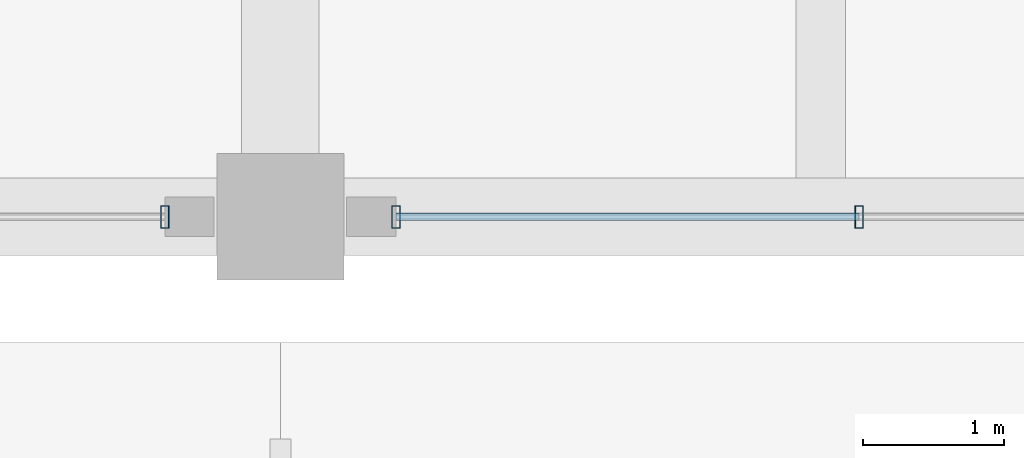
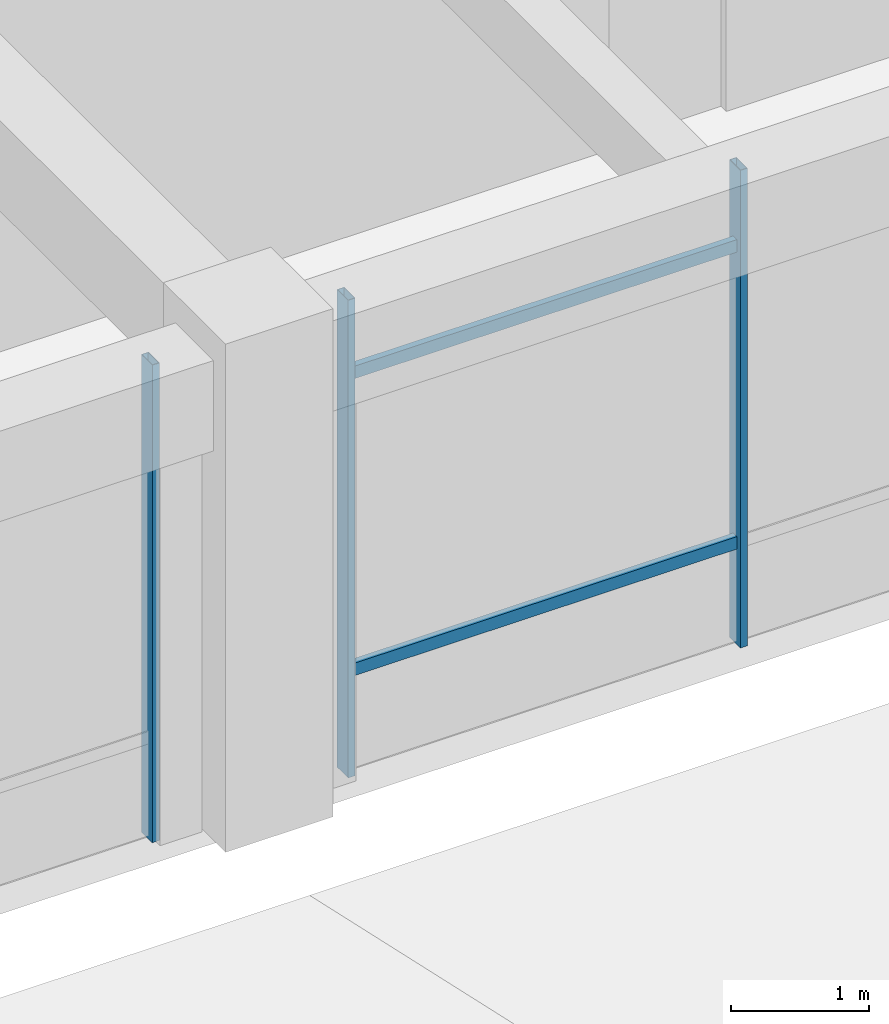
# One storey, part 70 of 154: 5 members, 2 elements without a shape of their own.
"""IFC4 building model written with IfcOpenShell, lengths in metres."""

from ifc_helpers import new_model, si_unit, direction, frame, origin, origin_2d, place, context, subcontext, project, spatial, hollow_rectangle, extrude, material, material_profile, profile_set, type_object, element, aggregate, save


model = new_model("IFC4")

# Units and contexts
model_context = context("Model", 3, precision=1e-05, world=origin(), true_north=direction((0.0, 1.0)))
body_context = subcontext(model_context, "Body", "Model", "MODEL_VIEW")
ifc_project = project(units=[si_unit("LENGTHUNIT", "METRE"), si_unit("AREAUNIT", "SQUARE_METRE"), si_unit("VOLUMEUNIT", "CUBIC_METRE"), si_unit("PLANEANGLEUNIT", "RADIAN"), si_unit("MASSUNIT", "GRAM", prefix="KILO")], contexts=[model_context])

# Site, building, storey
site_placement = place(None, origin())
site = spatial("IfcSite", under=ifc_project, at=site_placement, CompositionType="ELEMENT")
building_placement = place(site_placement, origin())
building = spatial("IfcBuilding", under=site, at=building_placement, Name="Ologun Quay Terminus", CompositionType="ELEMENT")
storey_placement = place(building_placement, frame((0.0, 0.0, 13.800048828125)))
storey = spatial("IfcBuildingStorey", under=building, at=storey_placement, Name="L03", CompositionType="ELEMENT", Elevation=13.800048828125)

# Curtain wall, member
ifc_material_1 = material(Name="Aluminium 6063-T6", Category="aluminium")
curtain_wall_type = type_object("IfcCurtainWallType", Name="Waterfront Pavilion Harbour Curtain Wall L03 10600x4150", PredefinedType="USERDEFINED", material=ifc_material_1)
curtain_wall_1_placement = place(storey_placement, origin())
curtain_wall_1 = element("IfcCurtainWall", 1, at=curtain_wall_1_placement, inside=storey, type_object=curtain_wall_type, Name="CW-25 Curtain Wall CW-L03-109", ObjectType="UNITISED CURTAIN WALL", PredefinedType="USERDEFINED")
ifc_material_2 = material(Name="Aluminium 6063-T6", Category="aluminium")
ifc_material_profile_1 = material_profile(ifc_material_2, hollow_rectangle(XDim=0.06005859375, YDim=0.159912109375, WallThickness=0.00390625, at=origin_2d()), Name="ALU 160x60x4")
ifc_profile_set_1 = profile_set([ifc_material_profile_1], Name="Aluminium 6063-T6")
member_type_1 = type_object("IfcMemberType", Name="Courtyard Screen Mullion 160x65", PredefinedType="MULLION", material=ifc_profile_set_1)
member_1_placement = place(storey_placement, frame((33.679931640625, 85.800048828125, 0.0), z_axis=(0.0, 0.0, 1.0), x_axis=(1.0, 0.0, 0.0)))
member_1 = element("IfcMember", 2, at=member_1_placement, type_object=member_type_1, Name="CW-L03-109 Mullion 4", PredefinedType="MULLION", context=body_context, shape_type="SweptSolid", body=[
    extrude(hollow_rectangle(XDim=0.06005859375, YDim=0.159912109375, WallThickness=0.00390625, at=origin_2d()), origin(), (0.0, 0.0, 1.0), 4.22998046875),
])
aggregate(curtain_wall_1, [member_1])

# Curtain wall, members
curtain_wall_2_placement = place(storey_placement, origin())
curtain_wall_2 = element("IfcCurtainWall", 3, at=curtain_wall_2_placement, inside=storey, type_object=curtain_wall_type, Name="CW-25 Curtain Wall CW-L03-110", ObjectType="UNITISED CURTAIN WALL", PredefinedType="USERDEFINED")
member_2_placement = place(storey_placement, frame((35.320068359375, 85.800048828125, 0.0), z_axis=(0.0, 0.0, 1.0), x_axis=(1.0, 0.0, 0.0)))
member_2 = element("IfcMember", 4, at=member_2_placement, type_object=member_type_1, Name="CW-L03-110 Mullion 1", PredefinedType="MULLION", context=body_context, shape_type="SweptSolid", body=[
    extrude(hollow_rectangle(XDim=0.06005859375, YDim=0.159912109375, WallThickness=0.00390625, at=origin_2d()), origin(), (0.0, 0.0, 1.0), 4.22998046875),
])
member_3_placement = place(storey_placement, frame((38.606689453125, 85.800048828125, 0.0), z_axis=(0.0, 0.0, 1.0), x_axis=(1.0, 0.0, 0.0)))
member_3 = element("IfcMember", 5, at=member_3_placement, type_object=member_type_1, Name="CW-L03-110 Mullion 2", PredefinedType="MULLION", context=body_context, shape_type="SweptSolid", body=[
    extrude(hollow_rectangle(XDim=0.06005859375, YDim=0.159912109375, WallThickness=0.00390625, at=origin_2d()), origin(), (0.0, 0.0, 1.0), 4.22998046875),
])
ifc_material_3 = material(Name="Aluminium 6063-T6", Category="aluminium")
ifc_material_profile_2 = material_profile(ifc_material_3, hollow_rectangle(XDim=0.054931640625, YDim=0.110107421875, WallThickness=0.00390625, at=origin_2d()), Name="ALU 110x55x4")
ifc_profile_set_2 = profile_set([ifc_material_profile_2], Name="Aluminium 6063-T6")
member_type_2 = type_object("IfcMemberType", Name="Courtyard Screen Transom 110x55", PredefinedType="USERDEFINED", material=ifc_profile_set_2)
member_4_placement = place(storey_placement, frame((35.320068359375, 85.800048828125, 0.89990234375), z_axis=(1.0, 0.0, 0.0), x_axis=(0.0, 1.0, 0.0)))
member_4 = element("IfcMember", 6, at=member_4_placement, type_object=member_type_2, Name="CW-L03-110 Transom B1-1", ObjectType="TRANSOM", PredefinedType="USERDEFINED", context=body_context, shape_type="SweptSolid", body=[
    extrude(hollow_rectangle(XDim=0.054931640625, YDim=0.110107421875, WallThickness=0.00390625, at=origin_2d()), origin(), (0.0, 0.0, 1.0), 3.28662109375),
])
member_5_placement = place(storey_placement, frame((35.320068359375, 85.800048828125, 3.530029296875), z_axis=(1.0, 0.0, 0.0), x_axis=(0.0, 1.0, 0.0)))
member_5 = element("IfcMember", 7, at=member_5_placement, type_object=member_type_2, Name="CW-L03-110 Transom B1-2", ObjectType="TRANSOM", PredefinedType="USERDEFINED", context=body_context, shape_type="SweptSolid", body=[
    extrude(hollow_rectangle(XDim=0.054931640625, YDim=0.110107421875, WallThickness=0.00390625, at=origin_2d()), origin(), (0.0, 0.0, 1.0), 3.28662109375),
])
aggregate(curtain_wall_2, [member_2, member_3, member_4, member_5])

save(model, "model.ifc")
